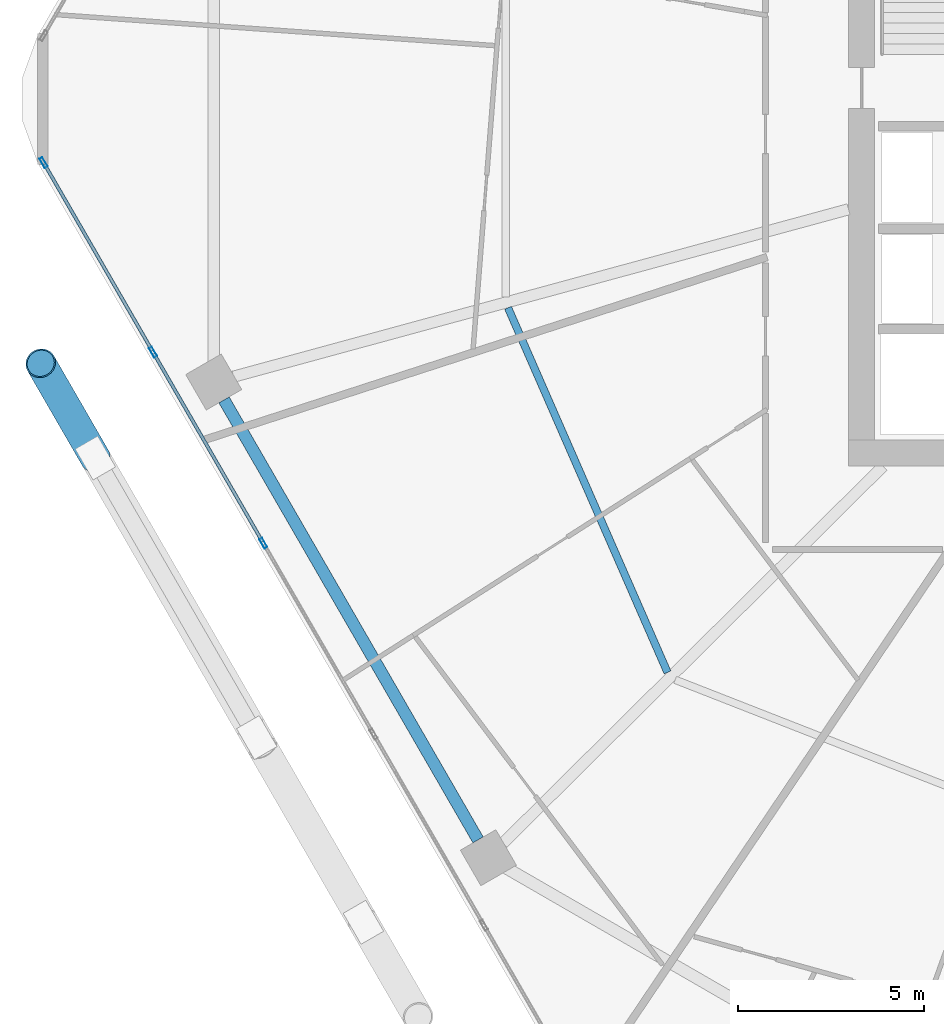
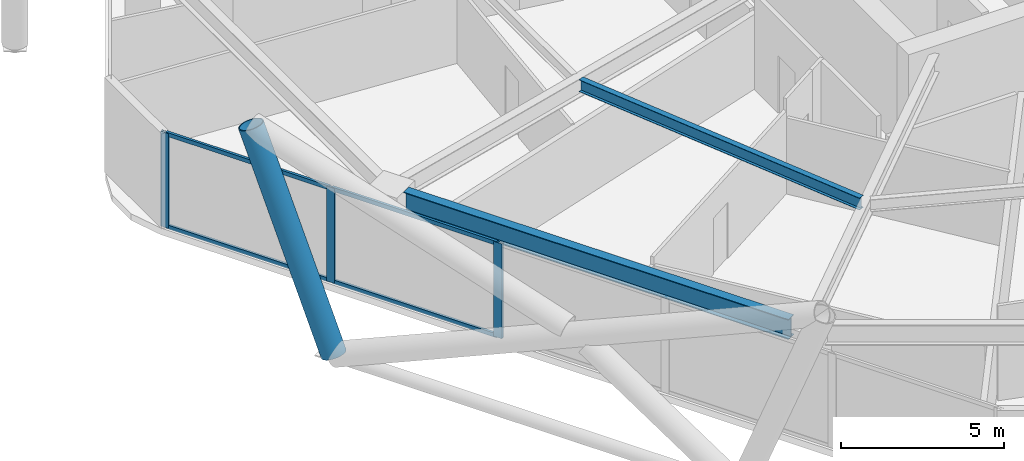
# One storey, part 5 of 35: 8 members, 2 beams, 1 element without a shape of its own.
"""IFC4 building model written with IfcOpenShell, lengths in metres."""

from ifc_helpers import new_model, si_unit, direction, frame, origin, origin_2d, place, context, subcontext, project, spatial, hollow_rectangle, hollow_circle, i_section, extrude, material, material_profile, profile_set, type_object, element, aggregate, save


model = new_model("IFC4")

# Units and contexts
model_context = context("Model", 3, precision=1e-05, world=origin(), true_north=direction((0.0, 1.0)))
body_context = subcontext(model_context, "Body", "Model", "MODEL_VIEW")
ifc_project = project(units=[si_unit("LENGTHUNIT", "METRE"), si_unit("AREAUNIT", "SQUARE_METRE"), si_unit("VOLUMEUNIT", "CUBIC_METRE"), si_unit("PLANEANGLEUNIT", "RADIAN"), si_unit("MASSUNIT", "GRAM", prefix="KILO")], contexts=[model_context])

# Site, building, storey
site_placement = place(None, origin())
site = spatial("IfcSite", under=ifc_project, at=site_placement, CompositionType="ELEMENT")
building_placement = place(site_placement, origin())
building = spatial("IfcBuilding", under=site, at=building_placement, Name="Zuhravey Tower", CompositionType="ELEMENT")
storey_placement = place(building_placement, frame((0.0, 0.0, 115.199951171875)))
storey = spatial("IfcBuildingStorey", under=building, at=storey_placement, Name="L28", CompositionType="ELEMENT", Elevation=115.199951171875)

# Curtain wall, members
ifc_material_1 = material(Name="Thermally broken anodised aluminium", Category="aluminium")
curtain_wall_type = type_object("IfcCurtainWallType", Name="Zone 1-2 Residential Curtain Wall CW3", PredefinedType="NOTDEFINED", material=ifc_material_1)
curtain_wall_placement = place(storey_placement, origin())
curtain_wall = element("IfcCurtainWall", 1, at=curtain_wall_placement, inside=storey, type_object=curtain_wall_type, Name="L28 CW3 CW-L28-F4-1", PredefinedType="NOTDEFINED")
ifc_material_2 = material(Name="Anodised aluminium", Category="aluminium")
ifc_material_profile_1 = material_profile(ifc_material_2, hollow_rectangle(XDim=0.090087890625, YDim=0.284912109375, WallThickness=0.0048828125, at=origin_2d()), Name="ALU-RHS-90x285x5")
ifc_profile_set_1 = profile_set([ifc_material_profile_1], Name="Anodised aluminium")
member_type_1 = type_object("IfcMemberType", Name="Curtain-Wall Mullion 90x180", PredefinedType="MULLION", material=ifc_profile_set_1)
member_1_placement = place(storey_placement, frame((9.44140625, 20.083984375, 0.0), z_axis=(0.0, 0.0, 1.0), x_axis=(-0.86602552265, -0.499999794119, 0.0)))
member_1 = element("IfcMember", 2, at=member_1_placement, type_object=member_type_1, Name="CW3 mullion 4", PredefinedType="MULLION", context=body_context, shape_type="SweptSolid", body=[
    extrude(hollow_rectangle(XDim=0.090087890625, YDim=0.284912109375, WallThickness=0.0048828125, at=origin_2d()), origin(), (0.0, 0.0, 1.0), 3.550048828125),
])
member_2_placement = place(storey_placement, frame((6.4814453125, 25.210693359375, 0.0), z_axis=(0.0, 0.0, 1.0), x_axis=(-0.86602552265, -0.499999794119, 0.0)))
member_2 = element("IfcMember", 3, at=member_2_placement, type_object=member_type_1, Name="CW3 mullion 5", PredefinedType="MULLION", context=body_context, shape_type="SweptSolid", body=[
    extrude(hollow_rectangle(XDim=0.090087890625, YDim=0.284912109375, WallThickness=0.0048828125, at=origin_2d()), origin(), (0.0, 0.0, 1.0), 3.550048828125),
])
member_3_placement = place(storey_placement, frame((3.5439453125, 30.298583984375, 0.0), z_axis=(0.0, 0.0, 1.0), x_axis=(-0.86602552265, -0.499999794119, 0.0)))
member_3 = element("IfcMember", 4, at=member_3_placement, type_object=member_type_1, Name="CW3 mullion 6", PredefinedType="MULLION", context=body_context, shape_type="SweptSolid", body=[
    extrude(hollow_rectangle(XDim=0.090087890625, YDim=0.284912109375, WallThickness=0.0048828125, at=origin_2d()), origin(), (0.0, 0.0, 1.0), 3.550048828125),
])
ifc_material_profile_2 = material_profile(ifc_material_2, hollow_rectangle(XDim=0.090087890625, YDim=0.14990234375, WallThickness=0.0048828125, at=origin_2d()), Name="ALU-RHS-90x150x5")
ifc_profile_set_2 = profile_set([ifc_material_profile_2], Name="Anodised aluminium")
member_type_2 = type_object("IfcMemberType", Name="Curtain-Wall Transom 90x150", PredefinedType="USERDEFINED", material=ifc_profile_set_2)
member_4_placement = place(storey_placement, frame((9.418701171875, 20.123046875, 0.045166015625), z_axis=(-0.499981042766, 0.866036348472, 0.0), x_axis=(-0.866036348472, -0.499981042766, 0.0)))
member_4 = element("IfcMember", 5, at=member_4_placement, type_object=member_type_2, Name="CW3 transom 4.1", ObjectType="TRANSOM", PredefinedType="USERDEFINED", context=body_context, shape_type="SweptSolid", body=[
    extrude(hollow_rectangle(XDim=0.090087890625, YDim=0.14990234375, WallThickness=0.0048828125, at=origin_2d()), origin(), (0.0, 0.0, 1.0), 5.829833984375),
])
member_5_placement = place(storey_placement, frame((9.418701171875, 20.123046875, 3.505126953125), z_axis=(-0.499981042766, 0.866036348472, 0.0), x_axis=(-0.866036348472, -0.499981042766, 0.0)))
member_5 = element("IfcMember", 6, at=member_5_placement, type_object=member_type_2, Name="CW3 transom 4.2", ObjectType="TRANSOM", PredefinedType="USERDEFINED", context=body_context, shape_type="SweptSolid", body=[
    extrude(hollow_rectangle(XDim=0.090087890625, YDim=0.14990234375, WallThickness=0.0048828125, at=origin_2d()), origin(), (0.0, 0.0, 1.0), 5.829833984375),
])
member_6_placement = place(storey_placement, frame((6.458984375, 25.249755859375, 0.045166015625), z_axis=(-0.500024450573, 0.866011286779, 0.0), x_axis=(-0.866011286779, -0.500024450573, 0.0)))
member_6 = element("IfcMember", 7, at=member_6_placement, type_object=member_type_2, Name="CW3 transom 5.1", ObjectType="TRANSOM", PredefinedType="USERDEFINED", context=body_context, shape_type="SweptSolid", body=[
    extrude(hollow_rectangle(XDim=0.090087890625, YDim=0.14990234375, WallThickness=0.0048828125, at=origin_2d()), origin(), (0.0, 0.0, 1.0), 5.784912109375),
])
member_7_placement = place(storey_placement, frame((6.458984375, 25.249755859375, 3.505126953125), z_axis=(-0.500024450573, 0.866011286779, 0.0), x_axis=(-0.866011286779, -0.500024450573, 0.0)))
member_7 = element("IfcMember", 8, at=member_7_placement, type_object=member_type_2, Name="CW3 transom 5.2", ObjectType="TRANSOM", PredefinedType="USERDEFINED", context=body_context, shape_type="SweptSolid", body=[
    extrude(hollow_rectangle(XDim=0.090087890625, YDim=0.14990234375, WallThickness=0.0048828125, at=origin_2d()), origin(), (0.0, 0.0, 1.0), 5.784912109375),
])
aggregate(curtain_wall, [member_1, member_2, member_3, member_4, member_5, member_6, member_7])

# Member
ifc_material_3 = material(Name="Steel SM460", Category="steel")
ifc_material_profile_3 = material_profile(ifc_material_3, hollow_circle(Radius=0.406494140625, WallThickness=0.035888671875, at=origin_2d()), Name="CHS-812.8x36")
ifc_profile_set_3 = profile_set([ifc_material_profile_3], Name="Steel SM460")
member_type_3 = type_object("IfcMemberType", Name="Exoskeleton Zone 1 Diagrid CHS813x36", PredefinedType="BRACE", material=ifc_profile_set_3)
member_8_placement = place(storey_placement, frame((4.929931640625, 22.378173828125, -0.44189453125), z_axis=(-0.180574288521, 0.312728273078, 0.932520216158), x_axis=(-0.866000778371, -0.500042650041, 0.0)))
element("IfcMember", 9, at=member_8_placement, inside=storey, type_object=member_type_3, Name="L28 Face 4 Diagrid Brace 1", PredefinedType="BRACE", context=body_context, shape_type="SweptSolid", body=[
    extrude(hollow_circle(Radius=0.406494140625, WallThickness=0.035888671875, at=origin_2d()), origin(), (0.0, 0.0, 1.0), 8.102783203125),
])

# Beams
ifc_material_4 = material(Name="Steel SM355", Category="steel")
ifc_material_profile_4 = material_profile(ifc_material_4, i_section(OverallWidth=0.320068359375, OverallDepth=0.75, WebThickness=0.013916015625, FlangeThickness=0.02490234375, at=origin_2d()), Name="H-750x320x14x25")
ifc_profile_set_4 = profile_set([ifc_material_profile_4], Name="Steel SM355")
beam_type_1 = type_object("IfcBeamType", Name="Perimeter Ring Beam H750x320", PredefinedType="BEAM", material=ifc_profile_set_4)
beam_1_placement = place(storey_placement, frame((8.387451171875, 23.929443359375, 3.175048828125), z_axis=(0.500008177929, -0.866020682204, 0.0), x_axis=(0.866020682204, 0.500008177929, 0.0)))
element("IfcBeam", 10, at=beam_1_placement, inside=storey, type_object=beam_type_1, Name="L28 PB1 BM-L28-PB-07", PredefinedType="BEAM", context=body_context, shape_type="SweptSolid", body=[
    extrude(i_section(OverallWidth=0.320068359375, OverallDepth=0.75, WebThickness=0.013916015625, FlangeThickness=0.02490234375, at=origin_2d()), origin(), (0.0, 0.0, 1.0), 13.634033203125),
])
ifc_material_profile_5 = material_profile(ifc_material_4, i_section(OverallWidth=0.199951171875, OverallDepth=0.449951171875, WebThickness=0.009033203125, FlangeThickness=0.013916015625, at=origin_2d()), Name="H-450x200x9x14")
ifc_profile_set_5 = profile_set([ifc_material_profile_5], Name="Steel SM355")
beam_type_2 = type_object("IfcBeamType", Name="Secondary Floor Joist H450x200", PredefinedType="JOIST", material=ifc_profile_set_5)
beam_2_placement = place(storey_placement, frame((16.00927734375, 26.400390625, 3.324951171875), z_axis=(0.400786454617, -0.916171500209, 0.0), x_axis=(0.916171500209, 0.400786454617, 0.0)))
element("IfcBeam", 11, at=beam_2_placement, inside=storey, type_object=beam_type_2, Name="L28 SJ1 BM-L28-SJ-07-1", PredefinedType="JOIST", context=body_context, shape_type="SweptSolid", body=[
    extrude(i_section(OverallWidth=0.199951171875, OverallDepth=0.449951171875, WebThickness=0.009033203125, FlangeThickness=0.013916015625, at=origin_2d()), origin(), (0.0, 0.0, 1.0), 10.6796875),
])

save(model, "model.ifc")
